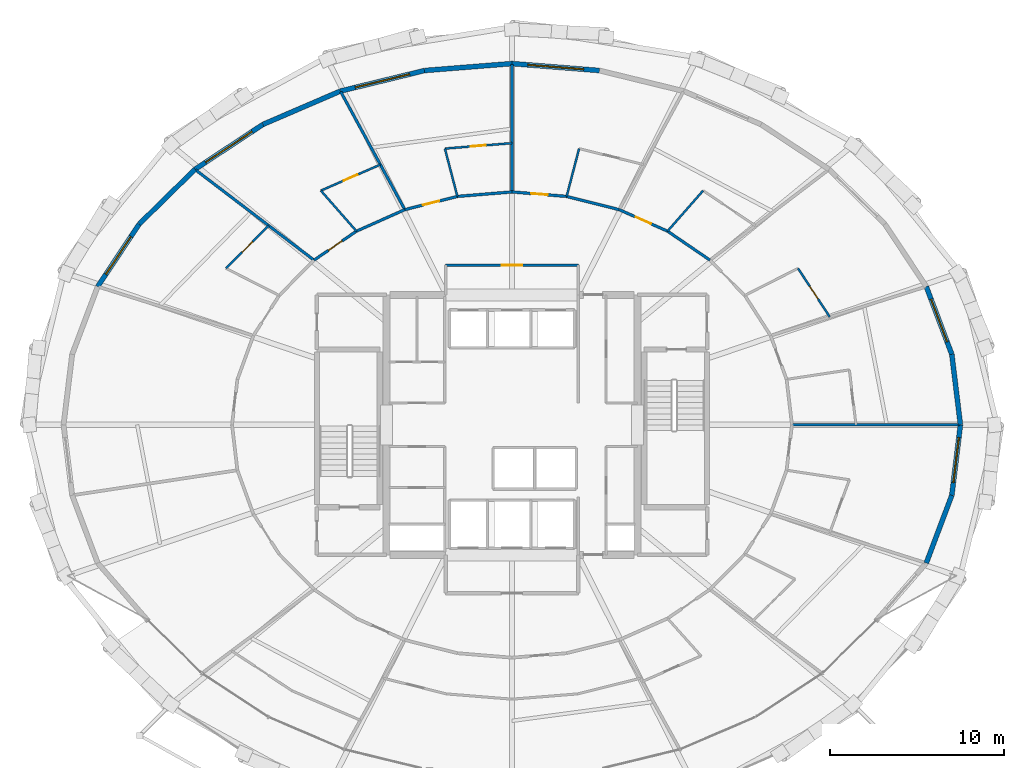
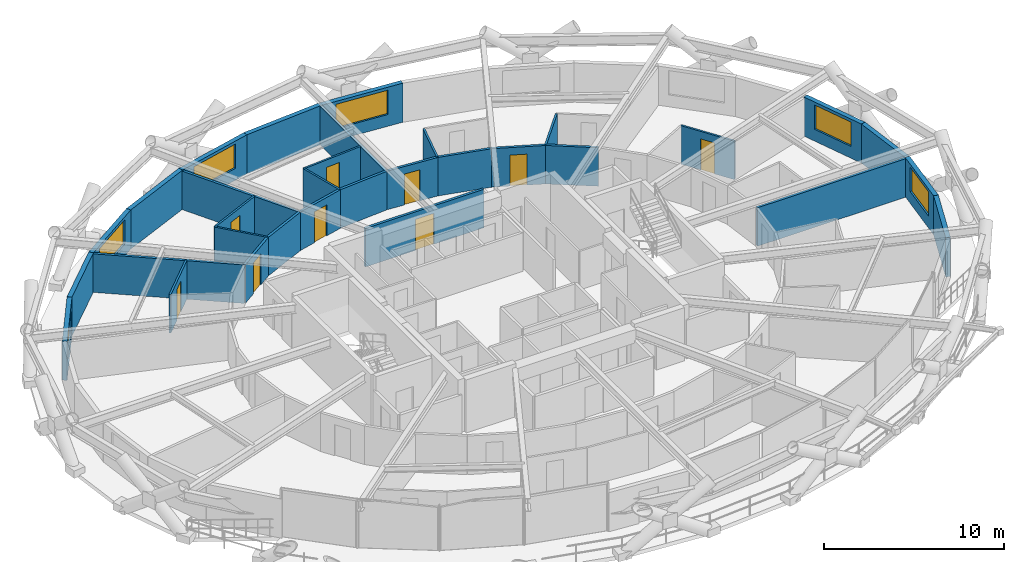
# One storey, part 16 of 19: 32 walls, 9 doors, 6 windows, 15 openings.
"""IFC4 building model written with IfcOpenShell, lengths in metres."""

from ifc_helpers import new_model, si_unit, direction, frame, frame_2d, origin, place, context, subcontext, project, spatial, rectangle, extrude, material, layer, layer_set, type_object, element, fill, save


model = new_model("IFC4")

# Units and contexts
model_context = context("Model", 3, precision=1e-05, world=origin(), true_north=direction((0.0, 1.0)))
body_context = subcontext(model_context, "Body", "Model", "MODEL_VIEW")
ifc_project = project(units=[si_unit("LENGTHUNIT", "METRE"), si_unit("AREAUNIT", "SQUARE_METRE"), si_unit("VOLUMEUNIT", "CUBIC_METRE"), si_unit("PLANEANGLEUNIT", "RADIAN"), si_unit("MASSUNIT", "GRAM", prefix="KILO")], contexts=[model_context])

# Site, building, storey
site_placement = place(None, origin())
site = spatial("IfcSite", under=ifc_project, at=site_placement, CompositionType="ELEMENT")
building_placement = place(site_placement, origin())
building = spatial("IfcBuilding", under=site, at=building_placement, Name="Veldorina Hangang Commons", CompositionType="ELEMENT")
storey_placement = place(building_placement, frame((0.0, 0.0, 34.0)))
storey = spatial("IfcBuildingStorey", under=building, at=storey_placement, Name="L07", CompositionType="ELEMENT", Elevation=34.0)

# Wall
ifc_material_1 = material(Name="Stone Roman Travertine", Category="masonry")
ifc_layer_1 = layer(ifc_material_1, 0.280029296875)
ifc_layer_set_1 = layer_set([ifc_layer_1], Name="Stone Roman Travertine")
wall_type_1 = type_object("IfcWallType", Name="EW-TRAV-280", PredefinedType="STANDARD", material=ifc_layer_set_1)
wall_1_placement = place(storey_placement, frame((57.7080078125, 24.0, 0.0), z_axis=(0.0, 0.0, 1.0), x_axis=(-0.12141333898, 0.99260203562, 0.0)))
element("IfcWall", 1, at=wall_1_placement, inside=storey, type_object=wall_type_1, Name="L07 travertine facade wall 00", PredefinedType="STANDARD", context=body_context, shape_type="SweptSolid", body=[
    extrude(rectangle(XDim=4.06982421875, YDim=0.280029296875, at=frame_2d((2.034912109375, 0.0))), origin(), (0.0, 0.0, 1.0), 2.64990234375),
])

# Wall, opening, window
wall_2_placement = place(storey_placement, frame((57.2138671875, 28.039794921875, 0.0), z_axis=(0.0, 0.0, 1.0), x_axis=(-0.352412178014, 0.935844889278, 0.0)))
wall_2 = element("IfcWall", 2, at=wall_2_placement, inside=storey, type_object=wall_type_1, Name="L07 travertine facade wall 01", PredefinedType="STANDARD", context=body_context, shape_type="SweptSolid", body=[
    extrude(rectangle(XDim=4.151123046875, YDim=0.280029296875, at=frame_2d((2.07568359375, 0.0))), origin(), (0.0, 0.0, 1.0), 2.64990234375),
])
opening_1_placement = place(wall_2_placement, frame((0.775390625, 0.0, 0.800048828125)))
opening_1 = element("IfcOpeningElement", 3, at=opening_1_placement, cuts=wall_2, Name="Opening W-02", PredefinedType="OPENING", context=body_context, shape_type="SweptSolid", body=[
    extrude(rectangle(XDim=2.60009765625, YDim=1.64990234375, at=frame_2d((1.300048828125, 0.824951171875))), frame((0.0, 0.14990234375, 0.0), z_axis=(0.0, -1.0, 0.0), x_axis=(1.0, 0.0, 0.0)), (0.0, 0.0, 1.0), 0.300048828125),
])
ifc_material_2 = material(Name="Glass Low-E Triple IGU", Category="glass")
window_type_1 = type_object("IfcWindowType", Name="WIN-TWR-2600", PartitioningType="SINGLE_PANEL", PredefinedType="WINDOW", material=ifc_material_2)
window_1_placement = place(opening_1_placement, origin())
window_1 = element("IfcWindow", 4, at=window_1_placement, inside=storey, type_object=window_type_1, Name="L07 facade window 01", OverallHeight=1.64990234375, OverallWidth=2.60009765625, PartitioningType="SINGLE_PANEL", PredefinedType="WINDOW", context=body_context, shape_type="SweptSolid", body=[
    extrude(rectangle(XDim=2.60009765625, YDim=1.64990234375, at=frame_2d((1.300048828125, 0.824951171875))), frame((0.0, 0.030029296875, 0.0), z_axis=(0.0, -1.0, 0.0), x_axis=(1.0, 0.0, 0.0)), (0.0, 0.0, 1.0), 0.06005859375),
])
fill(opening_1, window_1)

wall_3_placement = place(storey_placement, frame((37.015380859375, 44.31005859375, 0.0), z_axis=(0.0, 0.0, 1.0), x_axis=(-0.996866911104, 0.079097165219, 0.0)))
wall_3 = element("IfcWall", 5, at=wall_3_placement, inside=storey, type_object=wall_type_1, Name="L07 travertine facade wall 07", PredefinedType="STANDARD", context=body_context, shape_type="SweptSolid", body=[
    extrude(rectangle(XDim=5.03125, YDim=0.280029296875, at=frame_2d((2.515625, 0.0))), origin(), (0.0, 0.0, 1.0), 2.64990234375),
])
opening_2_placement = place(wall_3_placement, frame((0.91552734375, 0.0, 0.800048828125)))
opening_2 = element("IfcOpeningElement", 6, at=opening_2_placement, cuts=wall_3, Name="Opening W-01", PredefinedType="OPENING", context=body_context, shape_type="SweptSolid", body=[
    extrude(rectangle(XDim=3.199951171875, YDim=1.64990234375, at=frame_2d((1.60009765625, 0.824951171875))), frame((0.0, 0.14990234375, 0.0), z_axis=(0.0, -1.0, 0.0), x_axis=(1.0, 0.0, 0.0)), (0.0, 0.0, 1.0), 0.300048828125),
])
window_type_2 = type_object("IfcWindowType", Name="WIN-TWR-3200", PartitioningType="SINGLE_PANEL", PredefinedType="WINDOW", material=ifc_material_2)
window_2_placement = place(opening_2_placement, origin())
window_2 = element("IfcWindow", 7, at=window_2_placement, inside=storey, type_object=window_type_2, Name="L07 facade window 07", OverallHeight=1.64990234375, OverallWidth=3.199951171875, PartitioningType="SINGLE_PANEL", PredefinedType="WINDOW", context=body_context, shape_type="SweptSolid", body=[
    extrude(rectangle(XDim=3.199951171875, YDim=1.64990234375, at=frame_2d((1.60009765625, 0.824951171875))), frame((0.0, 0.030029296875, 0.0), z_axis=(0.0, -1.0, 0.0), x_axis=(1.0, 0.0, 0.0)), (0.0, 0.0, 1.0), 0.06005859375),
])
fill(opening_2, window_2)

# Wall
wall_4_placement = place(storey_placement, frame((32.0, 44.7080078125, 0.0), z_axis=(0.0, 0.0, 1.0), x_axis=(-0.996866911104, -0.079097165219, 0.0)))
element("IfcWall", 8, at=wall_4_placement, inside=storey, type_object=wall_type_1, Name="L07 travertine facade wall 08", PredefinedType="STANDARD", context=body_context, shape_type="SweptSolid", body=[
    extrude(rectangle(XDim=5.03125, YDim=0.280029296875, at=frame_2d((2.515625, 0.0))), origin(), (0.0, 0.0, 1.0), 2.64990234375),
])

# Wall, opening, window
wall_5_placement = place(storey_placement, frame((26.984619140625, 44.31005859375, 0.0), z_axis=(0.0, 0.0, 1.0), x_axis=(-0.971416145281, -0.237382966297, 0.0)))
wall_5 = element("IfcWall", 9, at=wall_5_placement, inside=storey, type_object=wall_type_1, Name="L07 travertine facade wall 09", PredefinedType="STANDARD", context=body_context, shape_type="SweptSolid", body=[
    extrude(rectangle(XDim=4.96435546875, YDim=0.280029296875, at=frame_2d((2.482177734375, 0.0))), origin(), (0.0, 0.0, 1.0), 2.64990234375),
])
opening_3_placement = place(wall_5_placement, frame((0.882080078125, 0.0, 0.800048828125)))
opening_3 = element("IfcOpeningElement", 10, at=opening_3_placement, cuts=wall_5, Name="Opening W-01", PredefinedType="OPENING", context=body_context, shape_type="SweptSolid", body=[
    extrude(rectangle(XDim=3.199951171875, YDim=1.64990234375, at=frame_2d((1.60009765625, 0.824951171875))), frame((0.0, 0.14990234375, 0.0), z_axis=(0.0, -1.0, 0.0), x_axis=(1.0, 0.0, 0.0)), (0.0, 0.0, 1.0), 0.300048828125),
])
window_3_placement = place(opening_3_placement, origin())
window_3 = element("IfcWindow", 11, at=window_3_placement, inside=storey, type_object=window_type_2, Name="L07 facade window 09", OverallHeight=1.64990234375, OverallWidth=3.199951171875, PartitioningType="SINGLE_PANEL", PredefinedType="WINDOW", context=body_context, shape_type="SweptSolid", body=[
    extrude(rectangle(XDim=3.199951171875, YDim=1.64990234375, at=frame_2d((1.60009765625, 0.824951171875))), frame((0.0, 0.030029296875, 0.0), z_axis=(0.0, -1.0, 0.0), x_axis=(1.0, 0.0, 0.0)), (0.0, 0.0, 1.0), 0.06005859375),
])
fill(opening_3, window_3)

# Wall
wall_6_placement = place(storey_placement, frame((22.162109375, 43.131591796875, 0.0), z_axis=(0.0, 0.0, 1.0), x_axis=(-0.918488745996, -0.395447118435, 0.0)))
element("IfcWall", 12, at=wall_6_placement, inside=storey, type_object=wall_type_1, Name="L07 travertine facade wall 10", PredefinedType="STANDARD", context=body_context, shape_type="SweptSolid", body=[
    extrude(rectangle(XDim=4.839111328125, YDim=0.280029296875, at=frame_2d((2.41943359375, 0.0))), origin(), (0.0, 0.0, 1.0), 2.64990234375),
])

# Wall, opening, window
wall_7_placement = place(storey_placement, frame((17.717529296875, 41.218017578125, 0.0), z_axis=(0.0, 0.0, 1.0), x_axis=(-0.834191456714, -0.551474943716, 0.0)))
wall_7 = element("IfcWall", 13, at=wall_7_placement, inside=storey, type_object=wall_type_1, Name="L07 travertine facade wall 11", PredefinedType="STANDARD", context=body_context, shape_type="SweptSolid", body=[
    extrude(rectangle(XDim=4.670166015625, YDim=0.280029296875, at=frame_2d((2.3349609375, 0.0))), origin(), (0.0, 0.0, 1.0), 2.64990234375),
])
opening_4_placement = place(wall_7_placement, frame((0.735107421875, 0.0, 0.800048828125)))
opening_4 = element("IfcOpeningElement", 14, at=opening_4_placement, cuts=wall_7, Name="Opening W-01", PredefinedType="OPENING", context=body_context, shape_type="SweptSolid", body=[
    extrude(rectangle(XDim=3.199951171875, YDim=1.64990234375, at=frame_2d((1.60009765625, 0.824951171875))), frame((0.0, 0.14990234375, 0.0), z_axis=(0.0, -1.0, 0.0), x_axis=(1.0, 0.0, 0.0)), (0.0, 0.0, 1.0), 0.300048828125),
])
window_4_placement = place(opening_4_placement, origin())
window_4 = element("IfcWindow", 15, at=window_4_placement, inside=storey, type_object=window_type_2, Name="L07 facade window 11", OverallHeight=1.64990234375, OverallWidth=3.199951171875, PartitioningType="SINGLE_PANEL", PredefinedType="WINDOW", context=body_context, shape_type="SweptSolid", body=[
    extrude(rectangle(XDim=3.199951171875, YDim=1.64990234375, at=frame_2d((1.60009765625, 0.824951171875))), frame((0.0, 0.030029296875, 0.0), z_axis=(0.0, -1.0, 0.0), x_axis=(1.0, 0.0, 0.0)), (0.0, 0.0, 1.0), 0.06005859375),
])
fill(opening_4, window_4)

# Wall
wall_8_placement = place(storey_placement, frame((13.82177734375, 38.642578125, 0.0), z_axis=(0.0, 0.0, 1.0), x_axis=(-0.713670465871, -0.700481595864, 0.0)))
element("IfcWall", 16, at=wall_8_placement, inside=storey, type_object=wall_type_1, Name="L07 travertine facade wall 12", PredefinedType="STANDARD", context=body_context, shape_type="SweptSolid", body=[
    extrude(rectangle(XDim=4.479736328125, YDim=0.280029296875, at=frame_2d((2.23974609375, 0.0))), origin(), (0.0, 0.0, 1.0), 2.64990234375),
])

# Wall, opening, window
wall_9_placement = place(storey_placement, frame((10.624755859375, 35.504638671875, 0.0), z_axis=(0.0, 0.0, 1.0), x_axis=(-0.55292873667, -0.833228547377, 0.0)))
wall_9 = element("IfcWall", 17, at=wall_9_placement, inside=storey, type_object=wall_type_1, Name="L07 travertine facade wall 13", PredefinedType="STANDARD", context=body_context, shape_type="SweptSolid", body=[
    extrude(rectangle(XDim=4.296630859375, YDim=0.280029296875, at=frame_2d((2.1484375, 0.0))), origin(), (0.0, 0.0, 1.0), 2.64990234375),
])
opening_5_placement = place(wall_9_placement, frame((0.848388671875, 0.0, 0.800048828125)))
opening_5 = element("IfcOpeningElement", 18, at=opening_5_placement, cuts=wall_9, Name="Opening W-02", PredefinedType="OPENING", context=body_context, shape_type="SweptSolid", body=[
    extrude(rectangle(XDim=2.60009765625, YDim=1.64990234375, at=frame_2d((1.300048828125, 0.824951171875))), frame((0.0, 0.14990234375, 0.0), z_axis=(0.0, -1.0, 0.0), x_axis=(1.0, 0.0, 0.0)), (0.0, 0.0, 1.0), 0.300048828125),
])
window_5_placement = place(opening_5_placement, origin())
window_5 = element("IfcWindow", 19, at=window_5_placement, inside=storey, type_object=window_type_1, Name="L07 facade window 13", OverallHeight=1.64990234375, OverallWidth=2.60009765625, PartitioningType="SINGLE_PANEL", PredefinedType="WINDOW", context=body_context, shape_type="SweptSolid", body=[
    extrude(rectangle(XDim=2.60009765625, YDim=1.64990234375, at=frame_2d((1.300048828125, 0.824951171875))), frame((0.0, 0.030029296875, 0.0), z_axis=(0.0, -1.0, 0.0), x_axis=(1.0, 0.0, 0.0)), (0.0, 0.0, 1.0), 0.06005859375),
])
fill(opening_5, window_5)

# Wall
wall_10_placement = place(storey_placement, frame((55.7509765625, 16.075439453125, 0.0), z_axis=(0.0, 0.0, 1.0), x_axis=(0.352412178014, 0.935844889278, 0.0)))
element("IfcWall", 20, at=wall_10_placement, inside=storey, type_object=wall_type_1, Name="L07 travertine facade wall 30", PredefinedType="STANDARD", context=body_context, shape_type="SweptSolid", body=[
    extrude(rectangle(XDim=4.151123046875, YDim=0.280029296875, at=frame_2d((2.07568359375, 0.0))), origin(), (0.0, 0.0, 1.0), 2.64990234375),
])

# Wall, opening, window
wall_11_placement = place(storey_placement, frame((57.2138671875, 19.960205078125, 0.0), z_axis=(0.0, 0.0, 1.0), x_axis=(0.12141333898, 0.99260203562, 0.0)))
wall_11 = element("IfcWall", 21, at=wall_11_placement, inside=storey, type_object=wall_type_1, Name="L07 travertine facade wall 31", PredefinedType="STANDARD", context=body_context, shape_type="SweptSolid", body=[
    extrude(rectangle(XDim=4.06982421875, YDim=0.280029296875, at=frame_2d((2.034912109375, 0.0))), origin(), (0.0, 0.0, 1.0), 2.64990234375),
])
opening_6_placement = place(wall_11_placement, frame((0.735107421875, 0.0, 0.800048828125)))
opening_6 = element("IfcOpeningElement", 22, at=opening_6_placement, cuts=wall_11, Name="Opening W-02", PredefinedType="OPENING", context=body_context, shape_type="SweptSolid", body=[
    extrude(rectangle(XDim=2.60009765625, YDim=1.64990234375, at=frame_2d((1.300048828125, 0.824951171875))), frame((0.0, 0.14990234375, 0.0), z_axis=(0.0, -1.0, 0.0), x_axis=(1.0, 0.0, 0.0)), (0.0, 0.0, 1.0), 0.300048828125),
])
window_6_placement = place(opening_6_placement, origin())
window_6 = element("IfcWindow", 23, at=window_6_placement, inside=storey, type_object=window_type_1, Name="L07 facade window 31", OverallHeight=1.64990234375, OverallWidth=2.60009765625, PartitioningType="SINGLE_PANEL", PredefinedType="WINDOW", context=body_context, shape_type="SweptSolid", body=[
    extrude(rectangle(XDim=2.60009765625, YDim=1.64990234375, at=frame_2d((1.300048828125, 0.824951171875))), frame((0.0, 0.030029296875, 0.0), z_axis=(0.0, -1.0, 0.0), x_axis=(1.0, 0.0, 0.0)), (0.0, 0.0, 1.0), 0.06005859375),
])
fill(opening_6, window_6)

# Wall, opening, door
ifc_material_3 = material(Name="Gypsum Fire-Rated Twin Stud Wall", Category="gypsum")
ifc_layer_2 = layer(ifc_material_3, 0.159912109375)
ifc_layer_set_2 = layer_set([ifc_layer_2], Name="Gypsum Fire-Rated Twin Stud Wall")
wall_type_2 = type_object("IfcWallType", Name="WL-FIRE-160", PredefinedType="SOLIDWALL", material=ifc_layer_set_2)
wall_12_placement = place(storey_placement, frame((28.199951171875, 33.14990234375, 0.0), z_axis=(0.0, 0.0, 1.0), x_axis=(1.0, 0.0, 0.0)))
wall_12 = element("IfcWall", 24, at=wall_12_placement, inside=storey, type_object=wall_type_2, Name="L07 North lobby north wall 034", PredefinedType="SOLIDWALL", context=body_context, shape_type="SweptSolid", body=[
    extrude(rectangle(XDim=7.60009765625, YDim=0.159912109375, at=frame_2d((3.800048828125, 0.0))), origin(), (0.0, 0.0, 1.0), 2.610107421875),
])
opening_7_placement = place(wall_12_placement, frame((3.199951171875, 0.0, 0.0)))
opening_7 = element("IfcOpeningElement", 25, at=opening_7_placement, cuts=wall_12, Name="Opening D-09", PredefinedType="OPENING", context=body_context, shape_type="SweptSolid", body=[
    extrude(rectangle(XDim=1.199951171875, YDim=2.10009765625, at=frame_2d((0.60009765625, 1.050048828125))), frame((0.0, 0.08984375, 0.0), z_axis=(0.0, -1.0, 0.0), x_axis=(1.0, 0.0, 0.0)), (0.0, 0.0, 1.0), 0.179931640625),
])
ifc_material_4 = material(Name="Steel Fire-Rated Corridor Door", Category="steel")
door_type_1 = type_object("IfcDoorType", Name="DR-FIRE-1200", OperationType="SINGLE_SWING_LEFT", PredefinedType="DOOR", material=ifc_material_4)
door_1_placement = place(opening_7_placement, origin())
door_1 = element("IfcDoor", 26, at=door_1_placement, inside=storey, type_object=door_type_1, Name="L07 North lift lobby corridor door 012", OperationType="SINGLE_SWING_RIGHT", OverallHeight=2.10009765625, OverallWidth=1.199951171875, PredefinedType="DOOR", context=body_context, shape_type="SweptSolid", body=[
    extrude(rectangle(XDim=1.199951171875, YDim=2.10009765625, at=frame_2d((0.60009765625, 1.050048828125))), frame((0.0, 0.02490234375, 0.0), z_axis=(0.0, -1.0, 0.0), x_axis=(1.0, 0.0, 0.0)), (0.0, 0.0, 1.0), 0.050048828125),
])
fill(opening_7, door_1)

# Wall
wall_13_placement = place(storey_placement, frame((43.34912109375, 33.43994140625, 0.0), z_axis=(0.0, 0.0, 1.0), x_axis=(-0.825929039072, 0.563774088104, 0.0)))
element("IfcWall", 27, at=wall_13_placement, inside=storey, type_object=wall_type_2, Name="L07 Corridor outer wall 04 052", PredefinedType="SOLIDWALL", context=body_context, shape_type="SweptSolid", body=[
    extrude(rectangle(XDim=2.94482421875, YDim=0.159912109375, at=frame_2d((1.472412109375, 0.0))), origin(), (0.0, 0.0, 1.0), 2.610107421875),
])

# Wall, opening, door
wall_14_placement = place(storey_placement, frame((40.9169921875, 35.10009765625, 0.0), z_axis=(0.0, 0.0, 1.0), x_axis=(-0.913768445178, 0.406235434936, 0.0)))
wall_14 = element("IfcWall", 28, at=wall_14_placement, inside=storey, type_object=wall_type_2, Name="L07 Corridor outer wall 05 053", PredefinedType="SOLIDWALL", context=body_context, shape_type="SweptSolid", body=[
    extrude(rectangle(XDim=3.036865234375, YDim=0.159912109375, at=frame_2d((1.5185546875, 0.0))), origin(), (0.0, 0.0, 1.0), 2.610107421875),
])
opening_8_placement = place(wall_14_placement, frame((1.04345703125, 0.0, 0.0)))
opening_8 = element("IfcOpeningElement", 29, at=opening_8_placement, cuts=wall_14, Name="Opening D-03", PredefinedType="OPENING", context=body_context, shape_type="SweptSolid", body=[
    extrude(rectangle(XDim=0.949951171875, YDim=2.10009765625, at=frame_2d((0.47509765625, 1.050048828125))), frame((0.0, 0.08984375, 0.0), z_axis=(0.0, -1.0, 0.0), x_axis=(1.0, 0.0, 0.0)), (0.0, 0.0, 1.0), 0.179931640625),
])
ifc_material_5 = material(Name="Timber Fire-Rated Entrance Core", Category="wood")
door_type_2 = type_object("IfcDoorType", Name="DR-UNIT-950", OperationType="SINGLE_SWING_RIGHT", PredefinedType="DOOR", material=ifc_material_5)
door_2_placement = place(opening_8_placement, origin())
door_2 = element("IfcDoor", 30, at=door_2_placement, inside=storey, type_object=door_type_2, Name="L07 Studio 7 entrance door 033", OperationType="SINGLE_SWING_LEFT", OverallHeight=2.10009765625, OverallWidth=0.949951171875, PredefinedType="DOOR", context=body_context, shape_type="SweptSolid", body=[
    extrude(rectangle(XDim=0.949951171875, YDim=2.10009765625, at=frame_2d((0.47509765625, 1.050048828125))), frame((0.0, 0.02490234375, 0.0), z_axis=(0.0, -1.0, 0.0), x_axis=(1.0, 0.0, 0.0)), (0.0, 0.0, 1.0), 0.050048828125),
])
fill(opening_8, door_2)

# Wall
wall_15_placement = place(storey_placement, frame((38.14208984375, 36.333740234375, 0.0), z_axis=(0.0, 0.0, 1.0), x_axis=(-0.969608333194, 0.244662380029, 0.0)))
element("IfcWall", 31, at=wall_15_placement, inside=storey, type_object=wall_type_2, Name="L07 Corridor outer wall 06 054", PredefinedType="SOLIDWALL", context=body_context, shape_type="SweptSolid", body=[
    extrude(rectangle(XDim=3.10546875, YDim=0.159912109375, at=frame_2d((1.552734375, 0.0))), origin(), (0.0, 0.0, 1.0), 2.610107421875),
])

# Wall, opening, door
wall_16_placement = place(storey_placement, frame((35.131103515625, 37.093505859375, 0.0), z_axis=(0.0, 0.0, 1.0), x_axis=(-0.996658973252, 0.081675522876, 0.0)))
wall_16 = element("IfcWall", 32, at=wall_16_placement, inside=storey, type_object=wall_type_2, Name="L07 Corridor outer wall 07 055", PredefinedType="SOLIDWALL", context=body_context, shape_type="SweptSolid", body=[
    extrude(rectangle(XDim=3.1416015625, YDim=0.159912109375, at=frame_2d((1.57080078125, 0.0))), origin(), (0.0, 0.0, 1.0), 2.610107421875),
])
opening_9_placement = place(wall_16_placement, frame((1.095703125, 0.0, 0.0)))
opening_9 = element("IfcOpeningElement", 33, at=opening_9_placement, cuts=wall_16, Name="Opening D-03", PredefinedType="OPENING", context=body_context, shape_type="SweptSolid", body=[
    extrude(rectangle(XDim=0.949951171875, YDim=2.10009765625, at=frame_2d((0.47509765625, 1.050048828125))), frame((0.0, 0.08984375, 0.0), z_axis=(0.0, -1.0, 0.0), x_axis=(1.0, 0.0, 0.0)), (0.0, 0.0, 1.0), 0.179931640625),
])
door_3_placement = place(opening_9_placement, origin())
door_3 = element("IfcDoor", 34, at=door_3_placement, inside=storey, type_object=door_type_2, Name="L07 Studio 8 entrance door 035", OperationType="SINGLE_SWING_LEFT", OverallHeight=2.10009765625, OverallWidth=0.949951171875, PredefinedType="DOOR", context=body_context, shape_type="SweptSolid", body=[
    extrude(rectangle(XDim=0.949951171875, YDim=2.10009765625, at=frame_2d((0.47509765625, 1.050048828125))), frame((0.0, 0.02490234375, 0.0), z_axis=(0.0, -1.0, 0.0), x_axis=(1.0, 0.0, 0.0)), (0.0, 0.0, 1.0), 0.050048828125),
])
fill(opening_9, door_3)

# Wall
wall_17_placement = place(storey_placement, frame((32.0, 37.35009765625, 0.0), z_axis=(0.0, 0.0, 1.0), x_axis=(-0.996658973252, -0.081675522876, 0.0)))
element("IfcWall", 35, at=wall_17_placement, inside=storey, type_object=wall_type_2, Name="L07 Corridor outer wall 08 056", PredefinedType="SOLIDWALL", context=body_context, shape_type="SweptSolid", body=[
    extrude(rectangle(XDim=3.1416015625, YDim=0.159912109375, at=frame_2d((1.57080078125, 0.0))), origin(), (0.0, 0.0, 1.0), 2.610107421875),
])

# Wall, opening, door
wall_18_placement = place(storey_placement, frame((28.868896484375, 37.093505859375, 0.0), z_axis=(0.0, 0.0, 1.0), x_axis=(-0.969608333194, -0.244662380029, 0.0)))
wall_18 = element("IfcWall", 36, at=wall_18_placement, inside=storey, type_object=wall_type_2, Name="L07 Corridor outer wall 09 057", PredefinedType="SOLIDWALL", context=body_context, shape_type="SweptSolid", body=[
    extrude(rectangle(XDim=3.10546875, YDim=0.159912109375, at=frame_2d((1.552734375, 0.0))), origin(), (0.0, 0.0, 1.0), 2.610107421875),
])
opening_10_placement = place(wall_18_placement, frame((1.07763671875, 0.0, 0.0)))
opening_10 = element("IfcOpeningElement", 37, at=opening_10_placement, cuts=wall_18, Name="Opening D-03", PredefinedType="OPENING", context=body_context, shape_type="SweptSolid", body=[
    extrude(rectangle(XDim=0.949951171875, YDim=2.10009765625, at=frame_2d((0.47509765625, 1.050048828125))), frame((0.0, 0.08984375, 0.0), z_axis=(0.0, -1.0, 0.0), x_axis=(1.0, 0.0, 0.0)), (0.0, 0.0, 1.0), 0.179931640625),
])
door_4_placement = place(opening_10_placement, origin())
door_4 = element("IfcDoor", 38, at=door_4_placement, inside=storey, type_object=door_type_2, Name="L07 Studio 9 entrance door 037", OperationType="SINGLE_SWING_LEFT", OverallHeight=2.10009765625, OverallWidth=0.949951171875, PredefinedType="DOOR", context=body_context, shape_type="SweptSolid", body=[
    extrude(rectangle(XDim=0.949951171875, YDim=2.10009765625, at=frame_2d((0.47509765625, 1.050048828125))), frame((0.0, 0.02490234375, 0.0), z_axis=(0.0, -1.0, 0.0), x_axis=(1.0, 0.0, 0.0)), (0.0, 0.0, 1.0), 0.050048828125),
])
fill(opening_10, door_4)

# Wall
wall_19_placement = place(storey_placement, frame((25.85791015625, 36.333740234375, 0.0), z_axis=(0.0, 0.0, 1.0), x_axis=(-0.913768445178, -0.406235434936, 0.0)))
element("IfcWall", 39, at=wall_19_placement, inside=storey, type_object=wall_type_2, Name="L07 Corridor outer wall 10 058", PredefinedType="SOLIDWALL", context=body_context, shape_type="SweptSolid", body=[
    extrude(rectangle(XDim=3.036865234375, YDim=0.159912109375, at=frame_2d((1.5185546875, 0.0))), origin(), (0.0, 0.0, 1.0), 2.610107421875),
])

# Wall, opening, door
wall_20_placement = place(storey_placement, frame((23.0830078125, 35.10009765625, 0.0), z_axis=(0.0, 0.0, 1.0), x_axis=(-0.825929039072, -0.563774088104, 0.0)))
wall_20 = element("IfcWall", 40, at=wall_20_placement, inside=storey, type_object=wall_type_2, Name="L07 Corridor outer wall 11 059", PredefinedType="SOLIDWALL", context=body_context, shape_type="SweptSolid", body=[
    extrude(rectangle(XDim=2.94482421875, YDim=0.159912109375, at=frame_2d((1.472412109375, 0.0))), origin(), (0.0, 0.0, 1.0), 2.610107421875),
])
opening_11_placement = place(wall_20_placement, frame((0.997314453125, 0.0, 0.0)))
opening_11 = element("IfcOpeningElement", 41, at=opening_11_placement, cuts=wall_20, Name="Opening D-03", PredefinedType="OPENING", context=body_context, shape_type="SweptSolid", body=[
    extrude(rectangle(XDim=0.949951171875, YDim=2.10009765625, at=frame_2d((0.47509765625, 1.050048828125))), frame((0.0, 0.08984375, 0.0), z_axis=(0.0, -1.0, 0.0), x_axis=(1.0, 0.0, 0.0)), (0.0, 0.0, 1.0), 0.179931640625),
])
door_5_placement = place(opening_11_placement, origin())
door_5 = element("IfcDoor", 42, at=door_5_placement, inside=storey, type_object=door_type_2, Name="L07 Studio 10 entrance door 039", OperationType="SINGLE_SWING_LEFT", OverallHeight=2.10009765625, OverallWidth=0.949951171875, PredefinedType="DOOR", context=body_context, shape_type="SweptSolid", body=[
    extrude(rectangle(XDim=0.949951171875, YDim=2.10009765625, at=frame_2d((0.47509765625, 1.050048828125))), frame((0.0, 0.02490234375, 0.0), z_axis=(0.0, -1.0, 0.0), x_axis=(1.0, 0.0, 0.0)), (0.0, 0.0, 1.0), 0.050048828125),
])
fill(opening_11, door_5)

# Walls
wall_21_placement = place(storey_placement, frame((48.050048828125, 24.0, 0.0), z_axis=(0.0, 0.0, 1.0), x_axis=(1.0, 0.0, 0.0)))
element("IfcWall", 43, at=wall_21_placement, inside=storey, type_object=wall_type_2, Name="L07 Unit party wall 00 094", PredefinedType="SOLIDWALL", context=body_context, shape_type="SweptSolid", body=[
    extrude(rectangle(XDim=9.60791015625, YDim=0.159912109375, at=frame_2d((4.803955078125, 0.0))), origin(), (0.0, 0.0, 1.0), 2.610107421875),
])
wall_22_placement = place(storey_placement, frame((32.0, 37.35009765625, 0.0), z_axis=(0.0, 0.0, 1.0), x_axis=(0.0, 1.0, 0.0)))
element("IfcWall", 44, at=wall_22_placement, inside=storey, type_object=wall_type_2, Name="L07 Unit party wall 08 106", PredefinedType="SOLIDWALL", context=body_context, shape_type="SweptSolid", body=[
    extrude(rectangle(XDim=7.307861328125, YDim=0.159912109375, at=frame_2d((3.65380859375, 0.0))), origin(), (0.0, 0.0, 1.0), 2.610107421875),
])
wall_23_placement = place(storey_placement, frame((25.85791015625, 36.333740234375, 0.0), z_axis=(0.0, 0.0, 1.0), x_axis=(-0.477665740343, 0.878541655531, 0.0)))
element("IfcWall", 45, at=wall_23_placement, inside=storey, type_object=wall_type_2, Name="L07 Unit party wall 10 109", PredefinedType="SOLIDWALL", context=body_context, shape_type="SweptSolid", body=[
    extrude(rectangle(XDim=7.687744140625, YDim=0.159912109375, at=frame_2d((3.84375, 0.0))), origin(), (0.0, 0.0, 1.0), 2.610107421875),
])
wall_24_placement = place(storey_placement, frame((20.65087890625, 33.43994140625, 0.0), z_axis=(0.0, 0.0, 1.0), x_axis=(-0.795456671163, 0.606010465506, 0.0)))
element("IfcWall", 46, at=wall_24_placement, inside=storey, type_object=wall_type_2, Name="L07 Unit party wall 12 112", PredefinedType="SOLIDWALL", context=body_context, shape_type="SweptSolid", body=[
    extrude(rectangle(XDim=8.53515625, YDim=0.159912109375, at=frame_2d((4.267578125, 0.0))), origin(), (0.0, 0.0, 1.0), 2.610107421875),
])

# Wall, opening, door
ifc_material_6 = material(Name="Gypsum Acoustic Stud Partition", Category="gypsum")
ifc_layer_3 = layer(ifc_material_6, 0.1201171875)
ifc_layer_set_3 = layer_set([ifc_layer_3], Name="Gypsum Acoustic Stud Partition")
wall_type_3 = type_object("IfcWallType", Name="WL-PART-120", PredefinedType="PARTITIONING", material=ifc_layer_set_3)
wall_25_placement = place(storey_placement, frame((50.218994140625, 30.1787109375, 0.0), z_axis=(0.0, 0.0, 1.0), x_axis=(-0.546680982623, 0.83734097191, 0.0)))
wall_25 = element("IfcWall", 47, at=wall_25_placement, inside=storey, type_object=wall_type_3, Name="L07 Studio 6 bath front wall 098", PredefinedType="PARTITIONING", context=body_context, shape_type="SweptSolid", body=[
    extrude(rectangle(XDim=3.333740234375, YDim=0.1201171875, at=frame_2d((1.6669921875, 0.0))), origin(), (0.0, 0.0, 1.0), 2.610107421875),
])
opening_12_placement = place(wall_25_placement, frame((1.23681640625, 0.0, 0.0)))
opening_12 = element("IfcOpeningElement", 48, at=opening_12_placement, cuts=wall_25, Name="Opening D-01", PredefinedType="OPENING", context=body_context, shape_type="SweptSolid", body=[
    extrude(rectangle(XDim=0.860107421875, YDim=2.10009765625, at=frame_2d((0.43017578125, 1.050048828125))), frame((0.0, 0.070068359375, 0.0), z_axis=(0.0, -1.0, 0.0), x_axis=(1.0, 0.0, 0.0)), (0.0, 0.0, 1.0), 0.14013671875),
])
ifc_material_7 = material(Name="Timber Moisture-Resistant Core", Category="wood")
door_type_3 = type_object("IfcDoorType", Name="DR-WET-860", OperationType="SINGLE_SWING_LEFT", PredefinedType="DOOR", material=ifc_material_7)
door_6_placement = place(opening_12_placement, origin())
door_6 = element("IfcDoor", 49, at=door_6_placement, inside=storey, type_object=door_type_3, Name="L07 Studio 6 bathroom door 030", OperationType="SINGLE_SWING_RIGHT", OverallHeight=2.10009765625, OverallWidth=0.860107421875, PredefinedType="DOOR", context=body_context, shape_type="SweptSolid", body=[
    extrude(rectangle(XDim=0.860107421875, YDim=2.10009765625, at=frame_2d((0.43017578125, 1.050048828125))), frame((0.0, 0.02490234375, 0.0), z_axis=(0.0, -1.0, 0.0), x_axis=(1.0, 0.0, 0.0)), (0.0, 0.0, 1.0), 0.050048828125),
])
fill(opening_12, door_6)

# Walls
wall_26_placement = place(storey_placement, frame((40.9169921875, 35.10009765625, 0.0), z_axis=(0.0, 0.0, 1.0), x_axis=(0.659365011607, 0.751822972161, 0.0)))
element("IfcWall", 50, at=wall_26_placement, inside=storey, type_object=wall_type_3, Name="L07 Studio 7 bath side wall 102", PredefinedType="PARTITIONING", context=body_context, shape_type="SweptSolid", body=[
    extrude(rectangle(XDim=3.092041015625, YDim=0.1201171875, at=frame_2d((1.5458984375, 0.0))), origin(), (0.0, 0.0, 1.0), 2.610107421875),
])
wall_27_placement = place(storey_placement, frame((35.131103515625, 37.093505859375, 0.0), z_axis=(0.0, 0.0, 1.0), x_axis=(0.252656838481, 0.967555952888, 0.0)))
element("IfcWall", 51, at=wall_27_placement, inside=storey, type_object=wall_type_3, Name="L07 Studio 8 bath side wall 105", PredefinedType="PARTITIONING", context=body_context, shape_type="SweptSolid", body=[
    extrude(rectangle(XDim=2.834228515625, YDim=0.1201171875, at=frame_2d((1.4169921875, 0.0))), origin(), (0.0, 0.0, 1.0), 2.610107421875),
])

# Wall, opening, door
wall_28_placement = place(storey_placement, frame((32.0, 40.14599609375, 0.0), z_axis=(0.0, 0.0, 1.0), x_axis=(-0.996762973996, -0.080396353595, 0.0)))
wall_28 = element("IfcWall", 52, at=wall_28_placement, inside=storey, type_object=wall_type_3, Name="L07 Studio 9 bath front wall 107", PredefinedType="PARTITIONING", context=body_context, shape_type="SweptSolid", body=[
    extrude(rectangle(XDim=3.859619140625, YDim=0.1201171875, at=frame_2d((1.9296875, 0.0))), origin(), (0.0, 0.0, 1.0), 2.610107421875),
])
opening_13_placement = place(wall_28_placement, frame((1.5, 0.0, 0.0)))
opening_13 = element("IfcOpeningElement", 53, at=opening_13_placement, cuts=wall_28, Name="Opening D-01", PredefinedType="OPENING", context=body_context, shape_type="SweptSolid", body=[
    extrude(rectangle(XDim=0.860107421875, YDim=2.10009765625, at=frame_2d((0.43017578125, 1.050048828125))), frame((0.0, 0.070068359375, 0.0), z_axis=(0.0, -1.0, 0.0), x_axis=(1.0, 0.0, 0.0)), (0.0, 0.0, 1.0), 0.14013671875),
])
door_7_placement = place(opening_13_placement, origin())
door_7 = element("IfcDoor", 54, at=door_7_placement, inside=storey, type_object=door_type_3, Name="L07 Studio 9 bathroom door 036", OperationType="SINGLE_SWING_RIGHT", OverallHeight=2.10009765625, OverallWidth=0.860107421875, PredefinedType="DOOR", context=body_context, shape_type="SweptSolid", body=[
    extrude(rectangle(XDim=0.860107421875, YDim=2.10009765625, at=frame_2d((0.43017578125, 1.050048828125))), frame((0.0, 0.02490234375, 0.0), z_axis=(0.0, -1.0, 0.0), x_axis=(1.0, 0.0, 0.0)), (0.0, 0.0, 1.0), 0.050048828125),
])
fill(opening_13, door_7)

# Wall
wall_29_placement = place(storey_placement, frame((28.868896484375, 37.093505859375, 0.0), z_axis=(0.0, 0.0, 1.0), x_axis=(-0.252656838481, 0.967555952888, 0.0)))
element("IfcWall", 55, at=wall_29_placement, inside=storey, type_object=wall_type_3, Name="L07 Studio 9 bath side wall 108", PredefinedType="PARTITIONING", context=body_context, shape_type="SweptSolid", body=[
    extrude(rectangle(XDim=2.834228515625, YDim=0.1201171875, at=frame_2d((1.4169921875, 0.0))), origin(), (0.0, 0.0, 1.0), 2.610107421875),
])

# Wall, opening, door
wall_30_placement = place(storey_placement, frame((24.45361328125, 38.9169921875, 0.0), z_axis=(0.0, 0.0, 1.0), x_axis=(-0.916101619969, -0.400946158342, 0.0)))
wall_30 = element("IfcWall", 56, at=wall_30_placement, inside=storey, type_object=wall_type_3, Name="L07 Studio 10 bath front wall 110", PredefinedType="PARTITIONING", context=body_context, shape_type="SweptSolid", body=[
    extrude(rectangle(XDim=3.7216796875, YDim=0.1201171875, at=frame_2d((1.86083984375, 0.0))), origin(), (0.0, 0.0, 1.0), 2.610107421875),
])
opening_14_placement = place(wall_30_placement, frame((1.4306640625, 0.0, 0.0)))
opening_14 = element("IfcOpeningElement", 57, at=opening_14_placement, cuts=wall_30, Name="Opening D-01", PredefinedType="OPENING", context=body_context, shape_type="SweptSolid", body=[
    extrude(rectangle(XDim=0.860107421875, YDim=2.10009765625, at=frame_2d((0.43017578125, 1.050048828125))), frame((0.0, 0.070068359375, 0.0), z_axis=(0.0, -1.0, 0.0), x_axis=(1.0, 0.0, 0.0)), (0.0, 0.0, 1.0), 0.14013671875),
])
door_8_placement = place(opening_14_placement, origin())
door_8 = element("IfcDoor", 58, at=door_8_placement, inside=storey, type_object=door_type_3, Name="L07 Studio 10 bathroom door 038", OperationType="SINGLE_SWING_RIGHT", OverallHeight=2.10009765625, OverallWidth=0.860107421875, PredefinedType="DOOR", context=body_context, shape_type="SweptSolid", body=[
    extrude(rectangle(XDim=0.860107421875, YDim=2.10009765625, at=frame_2d((0.43017578125, 1.050048828125))), frame((0.0, 0.02490234375, 0.0), z_axis=(0.0, -1.0, 0.0), x_axis=(1.0, 0.0, 0.0)), (0.0, 0.0, 1.0), 0.050048828125),
])
fill(opening_14, door_8)

# Wall
wall_31_placement = place(storey_placement, frame((23.0830078125, 35.10009765625, 0.0), z_axis=(0.0, 0.0, 1.0), x_axis=(-0.659365011607, 0.751822972161, 0.0)))
element("IfcWall", 59, at=wall_31_placement, inside=storey, type_object=wall_type_3, Name="L07 Studio 10 bath side wall 111", PredefinedType="PARTITIONING", context=body_context, shape_type="SweptSolid", body=[
    extrude(rectangle(XDim=3.092041015625, YDim=0.1201171875, at=frame_2d((1.5458984375, 0.0))), origin(), (0.0, 0.0, 1.0), 2.610107421875),
])

# Wall, opening, door
wall_32_placement = place(storey_placement, frame((18.055908203125, 35.4169921875, 0.0), z_axis=(0.0, 0.0, 1.0), x_axis=(-0.707916773962, -0.706295859497, 0.0)))
wall_32 = element("IfcWall", 60, at=wall_32_placement, inside=storey, type_object=wall_type_3, Name="L07 Studio 11 bath front wall 113", PredefinedType="PARTITIONING", context=body_context, shape_type="SweptSolid", body=[
    extrude(rectangle(XDim=3.46435546875, YDim=0.1201171875, at=frame_2d((1.732177734375, 0.0))), origin(), (0.0, 0.0, 1.0), 2.610107421875),
])
opening_15_placement = place(wall_32_placement, frame((1.302001953125, 0.0, 0.0)))
opening_15 = element("IfcOpeningElement", 61, at=opening_15_placement, cuts=wall_32, Name="Opening D-01", PredefinedType="OPENING", context=body_context, shape_type="SweptSolid", body=[
    extrude(rectangle(XDim=0.860107421875, YDim=2.10009765625, at=frame_2d((0.43017578125, 1.050048828125))), frame((0.0, 0.070068359375, 0.0), z_axis=(0.0, -1.0, 0.0), x_axis=(1.0, 0.0, 0.0)), (0.0, 0.0, 1.0), 0.14013671875),
])
door_9_placement = place(opening_15_placement, origin())
door_9 = element("IfcDoor", 62, at=door_9_placement, inside=storey, type_object=door_type_3, Name="L07 Studio 11 bathroom door 040", OperationType="SINGLE_SWING_RIGHT", OverallHeight=2.10009765625, OverallWidth=0.860107421875, PredefinedType="DOOR", context=body_context, shape_type="SweptSolid", body=[
    extrude(rectangle(XDim=0.860107421875, YDim=2.10009765625, at=frame_2d((0.43017578125, 1.050048828125))), frame((0.0, 0.02490234375, 0.0), z_axis=(0.0, -1.0, 0.0), x_axis=(1.0, 0.0, 0.0)), (0.0, 0.0, 1.0), 0.050048828125),
])
fill(opening_15, door_9)

save(model, "model.ifc")
